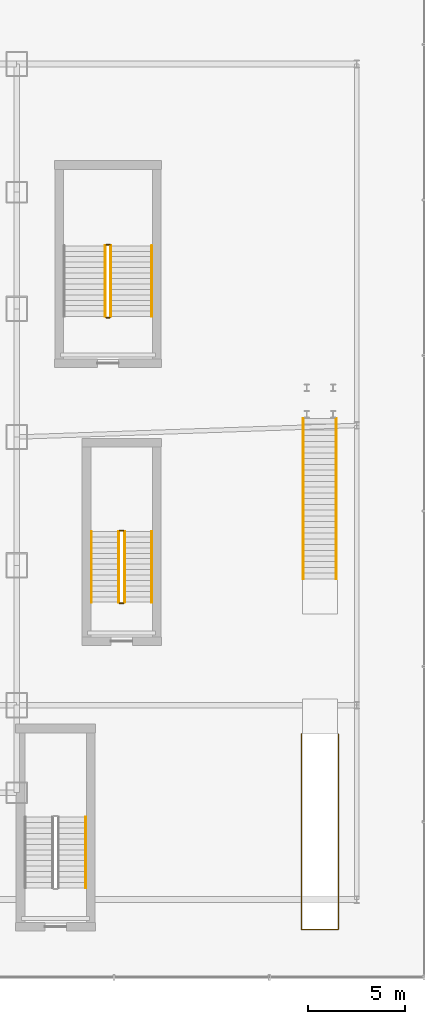
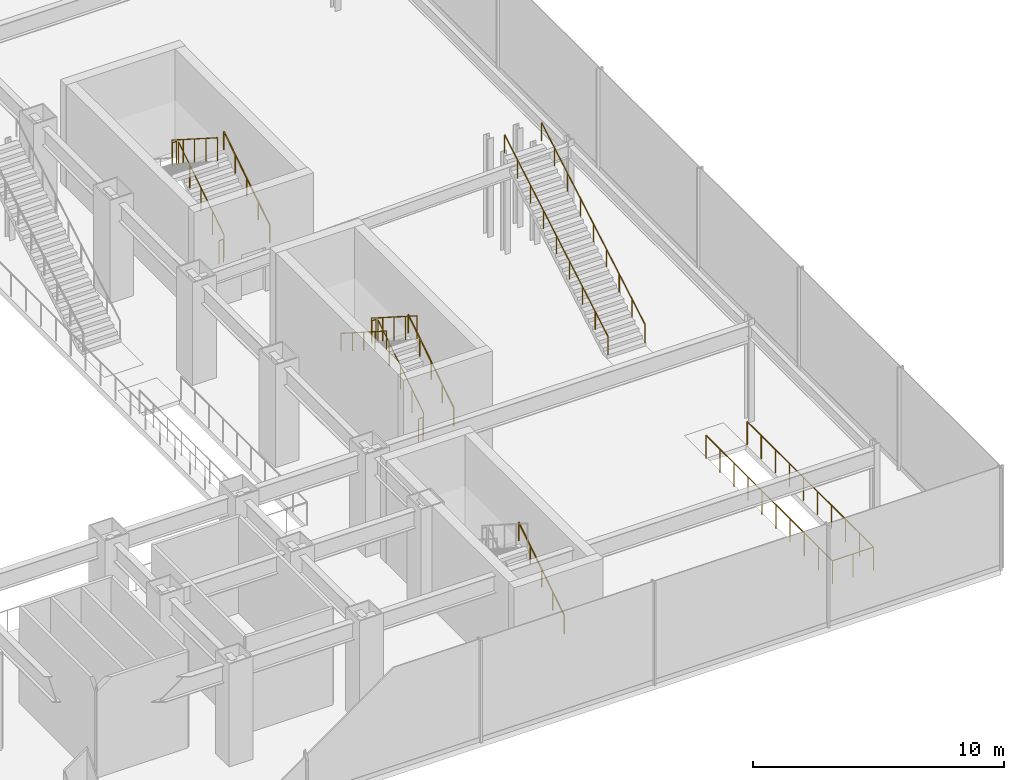
# One storey, part 39 of 40: 15 railings.
"""IFC4 building model written with IfcOpenShell, lengths in metres."""

from ifc_helpers import new_model, si_unit, derived_unit, direction, frame, origin, origin_2d, place, context, subcontext, project, spatial, circle, extrude, material, type_object, element, save


model = new_model("IFC4")

# Units and contexts
model_context = context("Model", 3, precision=1e-05, world=origin(), true_north=direction((0.0, 1.0)))
body_context = subcontext(model_context, "Body", "Model", "MODEL_VIEW")
ifc_project = project(units=[si_unit("LENGTHUNIT", "METRE"), si_unit("AREAUNIT", "SQUARE_METRE"), si_unit("VOLUMEUNIT", "CUBIC_METRE"), si_unit("PLANEANGLEUNIT", "RADIAN"), si_unit("MASSUNIT", "GRAM", prefix="KILO"), derived_unit("THERMALTRANSMITTANCEUNIT", [(si_unit("POWERUNIT", "WATT"), 1), (si_unit("LENGTHUNIT", "METRE"), -2), (si_unit("THERMODYNAMICTEMPERATUREUNIT", "KELVIN"), -1)])], contexts=[model_context])

# Site, building, storey
site_placement = place(None, origin())
site = spatial("IfcSite", under=ifc_project, at=site_placement, CompositionType="ELEMENT")
building_placement = place(site_placement, origin())
building = spatial("IfcBuilding", under=site, at=building_placement, Name="Skarnbrae Concourse Arena and Tower", CompositionType="ELEMENT")
storey_placement = place(building_placement, frame((0.0, 0.0, 6.0)))
storey = spatial("IfcBuildingStorey", under=building, at=storey_placement, Name="L01", CompositionType="ELEMENT", Elevation=6.0)

# Railings
ifc_material = material(Name="Steel CSA G40.21 350W", Category="steel")
railing_type_1 = type_object("IfcRailingType", Name="RAIL-HANDRAIL-900", PredefinedType="HANDRAIL", material=ifc_material)
for number, where, name in (
    (1, (64.550048828125, 4.60009765625, 0.178466796875), "L01 ST-A1 stair handrail 1"),
    (2, (67.949951171875, 19.300048828125, 0.178466796875), "L01 ST-A2 stair handrail 1"),
):
    element("IfcRailing", number, at=place(storey_placement, frame(where)), inside=storey, type_object=railing_type_1, Name=name, PredefinedType="HANDRAIL", context=body_context, shape_type="SweptSolid", body=[
        extrude(circle(Radius=0.02392578125, at=origin_2d()), frame((0.0, 0.0, 0.8759765625), z_axis=(0.0, 0.843111507901, 0.53773877045), x_axis=(-1.0, 0.0, 0.0)), (0.0, 0.0, 1.0), 4.317138671875),
        extrude(circle(Radius=0.02099609375, at=origin_2d()), origin(), (0.0, 0.0, 1.0), 0.851806640625),
        extrude(circle(Radius=0.02099609375, at=origin_2d()), frame((0.0, 0.909912109375, 0.580322265625)), (0.0, 0.0, 1.0), 0.851806640625),
        extrude(circle(Radius=0.02099609375, at=origin_2d()), frame((0.0, 1.81982421875, 1.16064453125)), (0.0, 0.0, 1.0), 0.851806640625),
        extrude(circle(Radius=0.02099609375, at=origin_2d()), frame((0.0, 2.72998046875, 1.7412109375)), (0.0, 0.0, 1.0), 0.851806640625),
        extrude(circle(Radius=0.02099609375, at=origin_2d()), frame((0.0, 3.639892578125, 2.321533203125)), (0.0, 0.0, 1.0), 0.851806640625),
    ])
railing_1_placement = place(storey_placement, frame((64.85009765625, 22.93994140625, 2.678466796875)))
element("IfcRailing", 3, at=railing_1_placement, inside=storey, type_object=railing_type_1, Name="L01 ST-A2 stair handrail 2", PredefinedType="HANDRAIL", context=body_context, shape_type="SweptSolid", body=[
    extrude(circle(Radius=0.02392578125, at=origin_2d()), frame((0.0, 0.0, 0.8759765625), z_axis=(0.0, -0.843111507901, 0.53773877045), x_axis=(1.0, 0.0, 0.0)), (0.0, 0.0, 1.0), 4.317138671875),
    extrude(circle(Radius=0.02099609375, at=origin_2d()), origin(), (0.0, 0.0, 1.0), 0.851806640625),
    extrude(circle(Radius=0.02099609375, at=origin_2d()), frame((0.0, -0.909912109375, 0.580322265625)), (0.0, 0.0, 1.0), 0.851806640625),
    extrude(circle(Radius=0.02099609375, at=origin_2d()), frame((0.0, -1.81982421875, 1.16064453125)), (0.0, 0.0, 1.0), 0.851806640625),
    extrude(circle(Radius=0.02099609375, at=origin_2d()), frame((0.0, -2.72998046875, 1.7412109375)), (0.0, 0.0, 1.0), 0.851806640625),
    extrude(circle(Radius=0.02099609375, at=origin_2d()), frame((0.0, -3.639892578125, 2.321533203125)), (0.0, 0.0, 1.0), 0.851806640625),
])
railing_2_placement = place(storey_placement, frame((67.949951171875, 34.0, 0.178466796875)))
element("IfcRailing", 4, at=railing_2_placement, inside=storey, type_object=railing_type_1, Name="L01 ST-A4 stair handrail 1", PredefinedType="HANDRAIL", context=body_context, shape_type="SweptSolid", body=[
    extrude(circle(Radius=0.02392578125, at=origin_2d()), frame((0.0, 0.0, 0.8759765625), z_axis=(0.0, 0.843111507901, 0.53773877045), x_axis=(-1.0, 0.0, 0.0)), (0.0, 0.0, 1.0), 4.317138671875),
    extrude(circle(Radius=0.02099609375, at=origin_2d()), origin(), (0.0, 0.0, 1.0), 0.851806640625),
    extrude(circle(Radius=0.02099609375, at=origin_2d()), frame((0.0, 0.909912109375, 0.580322265625)), (0.0, 0.0, 1.0), 0.851806640625),
    extrude(circle(Radius=0.02099609375, at=origin_2d()), frame((0.0, 1.81982421875, 1.16064453125)), (0.0, 0.0, 1.0), 0.851806640625),
    extrude(circle(Radius=0.02099609375, at=origin_2d()), frame((0.0, 2.72998046875, 1.7412109375)), (0.0, 0.0, 1.0), 0.851806640625),
    extrude(circle(Radius=0.02099609375, at=origin_2d()), frame((0.0, 3.639892578125, 2.321533203125)), (0.0, 0.0, 1.0), 0.851806640625),
])
for number, where, name in (
    (5, (75.75, 20.5, 0.17236328125), "ST-CONC-1 Handrail W L01"),
    (6, (77.449951171875, 20.5, 0.17236328125), "ST-CONC-1 Handrail E L01"),
):
    element("IfcRailing", number, at=place(storey_placement, frame(where)), inside=storey, type_object=railing_type_1, Name=name, PredefinedType="HANDRAIL", context=body_context, shape_type="SweptSolid", body=[
        extrude(circle(Radius=0.02392578125, at=origin_2d()), frame((0.0, 0.0, 0.8759765625), z_axis=(0.0, 0.863355629896, 0.50459593372), x_axis=(-1.0, 0.0, 0.0)), (0.0, 0.0, 1.0), 9.5673828125),
        extrude(circle(Radius=0.02099609375, at=origin_2d()), origin(), (0.0, 0.0, 1.0), 0.851806640625),
        extrude(circle(Radius=0.02099609375, at=origin_2d()), frame((0.0, 1.032470703125, 0.603515625)), (0.0, 0.0, 1.0), 0.851806640625),
        extrude(circle(Radius=0.02099609375, at=origin_2d()), frame((0.0, 2.06494140625, 1.20703125)), (0.0, 0.0, 1.0), 0.851806640625),
        extrude(circle(Radius=0.02099609375, at=origin_2d()), frame((0.0, 3.097412109375, 1.810302734375)), (0.0, 0.0, 1.0), 0.851806640625),
        extrude(circle(Radius=0.02099609375, at=origin_2d()), frame((0.0, 4.1298828125, 2.413818359375)), (0.0, 0.0, 1.0), 0.851806640625),
        extrude(circle(Radius=0.02099609375, at=origin_2d()), frame((0.0, 5.16259765625, 3.017333984375)), (0.0, 0.0, 1.0), 0.851806640625),
        extrude(circle(Radius=0.02099609375, at=origin_2d()), frame((0.0, 6.195068359375, 3.62060546875)), (0.0, 0.0, 1.0), 0.851806640625),
        extrude(circle(Radius=0.02099609375, at=origin_2d()), frame((0.0, 7.2275390625, 4.22412109375)), (0.0, 0.0, 1.0), 0.851806640625),
        extrude(circle(Radius=0.02099609375, at=origin_2d()), frame((0.0, 8.260009765625, 4.82763671875)), (0.0, 0.0, 1.0), 0.851806640625),
    ])
railing_type_2 = type_object("IfcRailingType", Name="RAIL-STAIR-GUARD-1150", PredefinedType="GUARDRAIL", material=ifc_material)
railing_3_placement = place(storey_placement, frame((66.550048828125, 19.300048828125, 0.178466796875)))
element("IfcRailing", 7, at=railing_3_placement, inside=storey, type_object=railing_type_2, Name="L01 ST-A2 stair guard 1", PredefinedType="GUARDRAIL", context=body_context, shape_type="SweptSolid", body=[
    extrude(circle(Radius=0.02392578125, at=origin_2d()), frame((0.0, 0.0, 1.1259765625), z_axis=(0.0, 0.843111507901, 0.53773877045), x_axis=(-1.0, 0.0, 0.0)), (0.0, 0.0, 1.0), 4.317138671875),
    extrude(circle(Radius=0.02099609375, at=origin_2d()), origin(), (0.0, 0.0, 1.0), 1.101806640625),
    extrude(circle(Radius=0.02099609375, at=origin_2d()), frame((0.0, 0.909912109375, 0.580322265625)), (0.0, 0.0, 1.0), 1.101806640625),
    extrude(circle(Radius=0.02099609375, at=origin_2d()), frame((0.0, 1.81982421875, 1.16064453125)), (0.0, 0.0, 1.0), 1.101806640625),
    extrude(circle(Radius=0.02099609375, at=origin_2d()), frame((0.0, 2.72998046875, 1.7412109375)), (0.0, 0.0, 1.0), 1.101806640625),
    extrude(circle(Radius=0.02099609375, at=origin_2d()), frame((0.0, 3.639892578125, 2.321533203125)), (0.0, 0.0, 1.0), 1.101806640625),
])
railing_4_placement = place(storey_placement, frame((66.5, 22.989990234375, 2.5)))
element("IfcRailing", 8, at=railing_4_placement, inside=storey, type_object=railing_type_2, Name="L01 ST-A2 stair guard 2", PredefinedType="GUARDRAIL", context=body_context, shape_type="SweptSolid", body=[
    extrude(circle(Radius=0.02392578125, at=origin_2d()), frame((0.0, 0.0, 1.1259765625), z_axis=(-1.0, 0.0, 0.0), x_axis=(0.0, -1.0, 0.0)), (0.0, 0.0, 1.0), 0.199951171875),
    extrude(circle(Radius=0.02099609375, at=origin_2d()), origin(), (0.0, 0.0, 1.0), 1.101806640625),
    extrude(circle(Radius=0.02099609375, at=origin_2d()), frame((-0.199951171875, 0.0, 0.0)), (0.0, 0.0, 1.0), 1.101806640625),
])
railing_5_placement = place(storey_placement, frame((66.25, 22.93994140625, 2.678466796875)))
element("IfcRailing", 9, at=railing_5_placement, inside=storey, type_object=railing_type_2, Name="L01 ST-A2 stair guard 3", PredefinedType="GUARDRAIL", context=body_context, shape_type="SweptSolid", body=[
    extrude(circle(Radius=0.02392578125, at=origin_2d()), frame((0.0, 0.0, 1.1259765625), z_axis=(0.0, -0.843111507901, 0.53773877045), x_axis=(1.0, 0.0, 0.0)), (0.0, 0.0, 1.0), 4.317138671875),
    extrude(circle(Radius=0.02099609375, at=origin_2d()), origin(), (0.0, 0.0, 1.0), 1.101806640625),
    extrude(circle(Radius=0.02099609375, at=origin_2d()), frame((0.0, -0.909912109375, 0.580322265625)), (0.0, 0.0, 1.0), 1.101806640625),
    extrude(circle(Radius=0.02099609375, at=origin_2d()), frame((0.0, -1.81982421875, 1.16064453125)), (0.0, 0.0, 1.0), 1.101806640625),
    extrude(circle(Radius=0.02099609375, at=origin_2d()), frame((0.0, -2.72998046875, 1.7412109375)), (0.0, 0.0, 1.0), 1.101806640625),
    extrude(circle(Radius=0.02099609375, at=origin_2d()), frame((0.0, -3.639892578125, 2.321533203125)), (0.0, 0.0, 1.0), 1.101806640625),
])
railing_6_placement = place(storey_placement, frame((66.5, 19.25, 0.0)))
element("IfcRailing", 10, at=railing_6_placement, inside=storey, type_object=railing_type_2, Name="L01 ST-A2 stair guard 4", PredefinedType="GUARDRAIL", context=body_context, shape_type="SweptSolid", body=[
    extrude(circle(Radius=0.02392578125, at=origin_2d()), frame((0.0, 0.0, 1.1259765625), z_axis=(-1.0, 0.0, 0.0), x_axis=(0.0, -1.0, 0.0)), (0.0, 0.0, 1.0), 0.199951171875),
    extrude(circle(Radius=0.02099609375, at=origin_2d()), origin(), (0.0, 0.0, 1.0), 1.101806640625),
    extrude(circle(Radius=0.02099609375, at=origin_2d()), frame((-0.199951171875, 0.0, 0.0)), (0.0, 0.0, 1.0), 1.101806640625),
])
railing_7_placement = place(storey_placement, frame((65.85009765625, 34.0, 0.178466796875)))
element("IfcRailing", 11, at=railing_7_placement, inside=storey, type_object=railing_type_2, Name="L01 ST-A4 stair guard 1", PredefinedType="GUARDRAIL", context=body_context, shape_type="SweptSolid", body=[
    extrude(circle(Radius=0.02392578125, at=origin_2d()), frame((0.0, 0.0, 1.1259765625), z_axis=(0.0, 0.843111507901, 0.53773877045), x_axis=(-1.0, 0.0, 0.0)), (0.0, 0.0, 1.0), 4.317138671875),
    extrude(circle(Radius=0.02099609375, at=origin_2d()), origin(), (0.0, 0.0, 1.0), 1.101806640625),
    extrude(circle(Radius=0.02099609375, at=origin_2d()), frame((0.0, 0.909912109375, 0.580322265625)), (0.0, 0.0, 1.0), 1.101806640625),
    extrude(circle(Radius=0.02099609375, at=origin_2d()), frame((0.0, 1.81982421875, 1.16064453125)), (0.0, 0.0, 1.0), 1.101806640625),
    extrude(circle(Radius=0.02099609375, at=origin_2d()), frame((0.0, 2.72998046875, 1.7412109375)), (0.0, 0.0, 1.0), 1.101806640625),
    extrude(circle(Radius=0.02099609375, at=origin_2d()), frame((0.0, 3.639892578125, 2.321533203125)), (0.0, 0.0, 1.0), 1.101806640625),
])
railing_8_placement = place(storey_placement, frame((65.800048828125, 37.68994140625, 2.5)))
element("IfcRailing", 12, at=railing_8_placement, inside=storey, type_object=railing_type_2, Name="L01 ST-A4 stair guard 2", PredefinedType="GUARDRAIL", context=body_context, shape_type="SweptSolid", body=[
    extrude(circle(Radius=0.02392578125, at=origin_2d()), frame((0.0, 0.0, 1.1259765625), z_axis=(-1.0, 0.0, 0.0), x_axis=(0.0, -1.0, 0.0)), (0.0, 0.0, 1.0), 0.199951171875),
    extrude(circle(Radius=0.02099609375, at=origin_2d()), origin(), (0.0, 0.0, 1.0), 1.101806640625),
    extrude(circle(Radius=0.02099609375, at=origin_2d()), frame((-0.199951171875, 0.0, 0.0)), (0.0, 0.0, 1.0), 1.101806640625),
])
railing_9_placement = place(storey_placement, frame((65.550048828125, 37.639892578125, 2.678466796875)))
element("IfcRailing", 13, at=railing_9_placement, inside=storey, type_object=railing_type_2, Name="L01 ST-A4 stair guard 3", PredefinedType="GUARDRAIL", context=body_context, shape_type="SweptSolid", body=[
    extrude(circle(Radius=0.02392578125, at=origin_2d()), frame((0.0, 0.0, 1.1259765625), z_axis=(0.0, -0.843111507901, 0.53773877045), x_axis=(1.0, 0.0, 0.0)), (0.0, 0.0, 1.0), 4.317138671875),
    extrude(circle(Radius=0.02099609375, at=origin_2d()), origin(), (0.0, 0.0, 1.0), 1.101806640625),
    extrude(circle(Radius=0.02099609375, at=origin_2d()), frame((0.0, -0.909912109375, 0.580322265625)), (0.0, 0.0, 1.0), 1.101806640625),
    extrude(circle(Radius=0.02099609375, at=origin_2d()), frame((0.0, -1.81982421875, 1.16064453125)), (0.0, 0.0, 1.0), 1.101806640625),
    extrude(circle(Radius=0.02099609375, at=origin_2d()), frame((0.0, -2.72998046875, 1.7412109375)), (0.0, 0.0, 1.0), 1.101806640625),
    extrude(circle(Radius=0.02099609375, at=origin_2d()), frame((0.0, -3.639892578125, 2.321533203125)), (0.0, 0.0, 1.0), 1.101806640625),
])
railing_10_placement = place(storey_placement, frame((65.800048828125, 33.949951171875, 0.0)))
element("IfcRailing", 14, at=railing_10_placement, inside=storey, type_object=railing_type_2, Name="L01 ST-A4 stair guard 4", PredefinedType="GUARDRAIL", context=body_context, shape_type="SweptSolid", body=[
    extrude(circle(Radius=0.02392578125, at=origin_2d()), frame((0.0, 0.0, 1.1259765625), z_axis=(-1.0, 0.0, 0.0), x_axis=(0.0, -1.0, 0.0)), (0.0, 0.0, 1.0), 0.199951171875),
    extrude(circle(Radius=0.02099609375, at=origin_2d()), origin(), (0.0, 0.0, 1.0), 1.101806640625),
    extrude(circle(Radius=0.02099609375, at=origin_2d()), frame((-0.199951171875, 0.0, 0.0)), (0.0, 0.0, 1.0), 1.101806640625),
])
railing_11_placement = place(storey_placement, frame((77.550048828125, 12.530029296875, 0.0)))
element("IfcRailing", 15, at=railing_11_placement, inside=storey, type_object=railing_type_2, Name="ST-CONC-1 Upper well guardrail L01", PredefinedType="GUARDRAIL", context=body_context, shape_type="SweptSolid", body=[
    extrude(circle(Radius=0.02392578125, at=origin_2d()), frame((0.0, 0.0, 1.1259765625), z_axis=(0.0, -1.0, 0.0), x_axis=(1.0, 0.0, 0.0)), (0.0, 0.0, 1.0), 10.080078125),
    extrude(circle(Radius=0.02392578125, at=origin_2d()), frame((0.0, -10.080078125, 1.1259765625), z_axis=(-1.0, 0.0, 0.0), x_axis=(0.0, -1.0, 0.0)), (0.0, 0.0, 1.0), 1.900146484375),
    extrude(circle(Radius=0.02392578125, at=origin_2d()), frame((-1.900146484375, -10.080078125, 1.1259765625), z_axis=(0.0, 1.0, 0.0), x_axis=(-1.0, 0.0, 0.0)), (0.0, 0.0, 1.0), 10.080078125),
    extrude(circle(Radius=0.02099609375, at=origin_2d()), origin(), (0.0, 0.0, 1.0), 1.101806640625),
    extrude(circle(Radius=0.02099609375, at=origin_2d()), frame((0.0, -1.1201171875, 0.0)), (0.0, 0.0, 1.0), 1.101806640625),
    extrude(circle(Radius=0.02099609375, at=origin_2d()), frame((0.0, -2.239990234375, 0.0)), (0.0, 0.0, 1.0), 1.101806640625),
    extrude(circle(Radius=0.02099609375, at=origin_2d()), frame((0.0, -3.360107421875, 0.0)), (0.0, 0.0, 1.0), 1.101806640625),
    extrude(circle(Radius=0.02099609375, at=origin_2d()), frame((0.0, -4.47998046875, 0.0)), (0.0, 0.0, 1.0), 1.101806640625),
    extrude(circle(Radius=0.02099609375, at=origin_2d()), frame((0.0, -5.60009765625, 0.0)), (0.0, 0.0, 1.0), 1.101806640625),
    extrude(circle(Radius=0.02099609375, at=origin_2d()), frame((0.0, -6.719970703125, 0.0)), (0.0, 0.0, 1.0), 1.101806640625),
    extrude(circle(Radius=0.02099609375, at=origin_2d()), frame((0.0, -7.840087890625, 0.0)), (0.0, 0.0, 1.0), 1.101806640625),
    extrude(circle(Radius=0.02099609375, at=origin_2d()), frame((0.0, -8.9599609375, 0.0)), (0.0, 0.0, 1.0), 1.101806640625),
    extrude(circle(Radius=0.02099609375, at=origin_2d()), frame((0.0, -10.080078125, 0.0)), (0.0, 0.0, 1.0), 1.101806640625),
    extrude(circle(Radius=0.02099609375, at=origin_2d()), frame((-0.9501953125, -10.080078125, 0.0)), (0.0, 0.0, 1.0), 1.101806640625),
    extrude(circle(Radius=0.02099609375, at=origin_2d()), frame((-1.900146484375, -10.080078125, 0.0)), (0.0, 0.0, 1.0), 1.101806640625),
    extrude(circle(Radius=0.02099609375, at=origin_2d()), frame((-1.900146484375, -8.9599609375, 0.0)), (0.0, 0.0, 1.0), 1.101806640625),
    extrude(circle(Radius=0.02099609375, at=origin_2d()), frame((-1.900146484375, -7.840087890625, 0.0)), (0.0, 0.0, 1.0), 1.101806640625),
    extrude(circle(Radius=0.02099609375, at=origin_2d()), frame((-1.900146484375, -6.719970703125, 0.0)), (0.0, 0.0, 1.0), 1.101806640625),
    extrude(circle(Radius=0.02099609375, at=origin_2d()), frame((-1.900146484375, -5.60009765625, 0.0)), (0.0, 0.0, 1.0), 1.101806640625),
    extrude(circle(Radius=0.02099609375, at=origin_2d()), frame((-1.900146484375, -4.47998046875, 0.0)), (0.0, 0.0, 1.0), 1.101806640625),
    extrude(circle(Radius=0.02099609375, at=origin_2d()), frame((-1.900146484375, -3.360107421875, 0.0)), (0.0, 0.0, 1.0), 1.101806640625),
    extrude(circle(Radius=0.02099609375, at=origin_2d()), frame((-1.900146484375, -2.239990234375, 0.0)), (0.0, 0.0, 1.0), 1.101806640625),
    extrude(circle(Radius=0.02099609375, at=origin_2d()), frame((-1.900146484375, -1.1201171875, 0.0)), (0.0, 0.0, 1.0), 1.101806640625),
    extrude(circle(Radius=0.02099609375, at=origin_2d()), frame((-1.900146484375, 0.0, 0.0)), (0.0, 0.0, 1.0), 1.101806640625),
])

save(model, "model.ifc")
